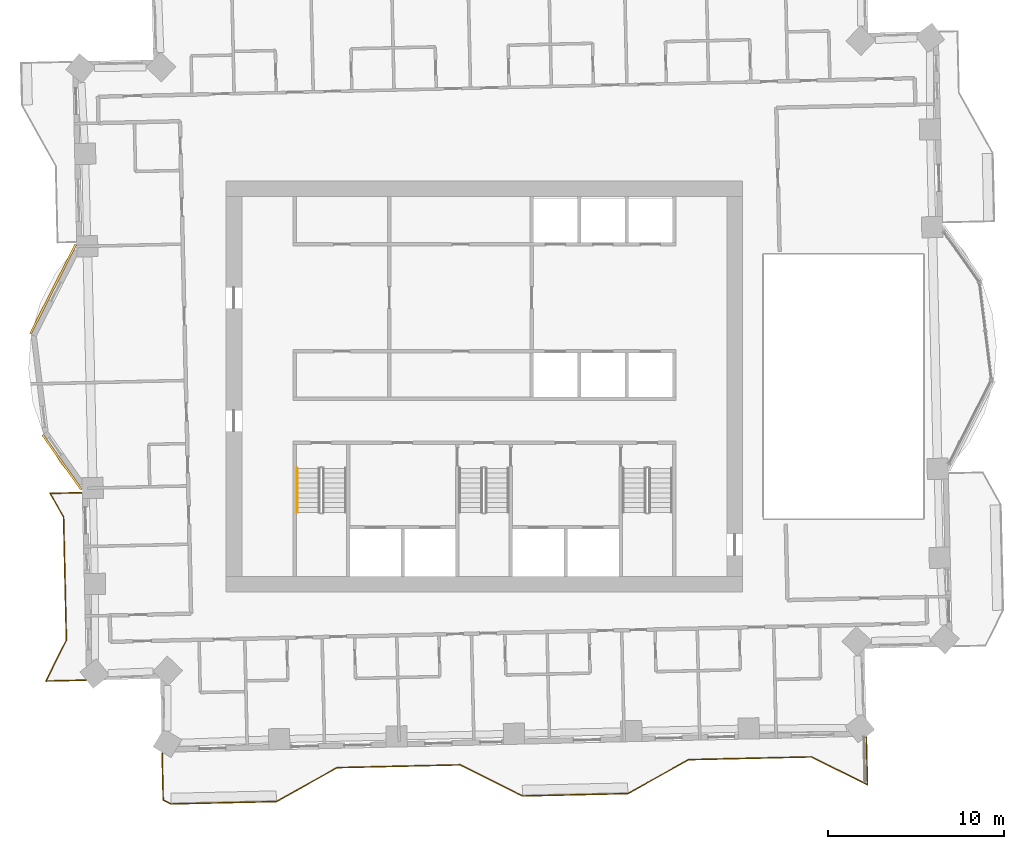
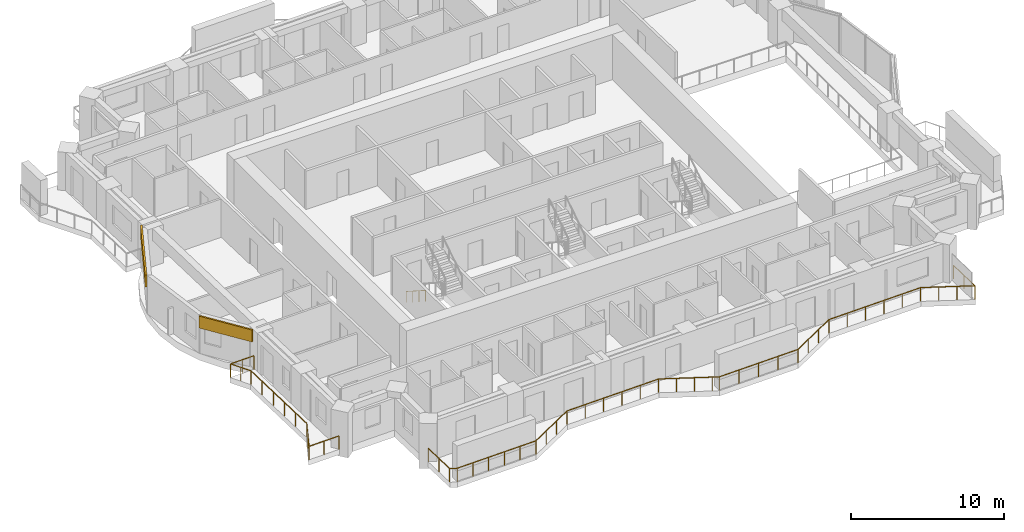
# One storey, part 13 of 16: 3 railings, 2 coverings.
"""IFC4 building model written with IfcOpenShell, lengths in metres."""

from ifc_helpers import new_model, si_unit, direction, frame, frame_2d, origin, origin_2d, place, context, subcontext, project, spatial, rectangle, circle, extrude, material, layer, layer_set, type_object, element, save


model = new_model("IFC4")

# Units and contexts
model_context = context("Model", 3, precision=1e-05, world=origin(), true_north=direction((0.0, 1.0)))
body_context = subcontext(model_context, "Body", "Model", "MODEL_VIEW")
ifc_project = project(units=[si_unit("LENGTHUNIT", "METRE"), si_unit("AREAUNIT", "SQUARE_METRE"), si_unit("VOLUMEUNIT", "CUBIC_METRE"), si_unit("PLANEANGLEUNIT", "RADIAN"), si_unit("MASSUNIT", "GRAM", prefix="KILO")], contexts=[model_context])

# Site, building, storey
site_placement = place(None, origin())
site = spatial("IfcSite", under=ifc_project, at=site_placement, CompositionType="ELEMENT")
building_placement = place(site_placement, origin())
building = spatial("IfcBuilding", under=site, at=building_placement, Name="Mangrove Gate Tower", CompositionType="ELEMENT")
storey_placement = place(building_placement, frame((0.0, 0.0, 175.300048828125)))
storey = spatial("IfcBuildingStorey", under=building, at=storey_placement, Name="L44", CompositionType="ELEMENT", Elevation=175.300048828125)

# Railings
ifc_material_1 = material(Name="Stainless steel grade 316 with laminated glass infill", Category="steel")
railing_type_1 = type_object("IfcRailingType", Name="Balcony guard 1100", PredefinedType="GUARDRAIL", material=ifc_material_1)
railing_1_placement = place(storey_placement, frame((-22.912109375, -6.033935546875, 0.0)))
element("IfcRailing", 1, at=railing_1_placement, inside=storey, type_object=railing_type_1, Name="GUARD L44 W2", PredefinedType="GUARDRAIL", context=body_context, shape_type="SweptSolid", body=[
    extrude(rectangle(XDim=0.048095703125, YDim=0.048095703125, at=origin_2d()), frame((0.0, 0.0, 1.076171875), z_axis=(-0.999748773553, -0.02241405316, 0.0), x_axis=(0.02241405316, -0.999748773553, 0.0)), (0.0, 0.0, 1.0), 1.786376953125),
    extrude(rectangle(XDim=0.048095703125, YDim=0.048095703125, at=origin_2d()), frame((-1.785888671875, -0.0400390625, 1.076171875), z_axis=(0.486962351773, -0.873422960516, 0.0), x_axis=(0.873422960516, 0.486962351773, 0.0)), (0.0, 0.0, 1.0), 1.5546875),
    extrude(rectangle(XDim=0.048095703125, YDim=0.048095703125, at=origin_2d()), frame((-1.02880859375, -1.39794921875, 1.076171875), z_axis=(0.022705559911, -0.999742195543, 0.0), x_axis=(0.999742195543, 0.022705559911, 0.0)), (0.0, 0.0, 1.0), 6.999755859375),
    extrude(rectangle(XDim=0.048095703125, YDim=0.048095703125, at=origin_2d()), frame((-0.869873046875, -8.39599609375, 1.076171875), z_axis=(-0.447063441947, -0.894502252023, 0.0), x_axis=(0.894502252023, -0.447063441947, 0.0)), (0.0, 0.0, 1.0), 2.6015625),
    extrude(rectangle(XDim=0.048095703125, YDim=0.048095703125, at=origin_2d()), frame((-2.032958984375, -10.72314453125, 1.076171875), z_axis=(0.999738891828, 0.022850561644, 0.0), x_axis=(-0.022850561644, 0.999738891828, 0.0)), (0.0, 0.0, 1.0), 2.275634765625),
    extrude(rectangle(XDim=0.0419921875, YDim=0.0419921875, at=origin_2d()), origin(), (0.0, 0.0, 1.0), 1.052001953125),
    extrude(rectangle(XDim=0.0419921875, YDim=0.0419921875, at=origin_2d()), frame((-0.89306640625, -0.02001953125, 0.0)), (0.0, 0.0, 1.0), 1.052001953125),
    extrude(rectangle(XDim=0.0419921875, YDim=0.0419921875, at=origin_2d()), frame((-1.785888671875, -0.0400390625, 0.0)), (0.0, 0.0, 1.0), 1.052001953125),
    extrude(rectangle(XDim=0.0419921875, YDim=0.0419921875, at=origin_2d()), frame((-1.4072265625, -0.718994140625, 0.0)), (0.0, 0.0, 1.0), 1.052001953125),
    extrude(rectangle(XDim=0.0419921875, YDim=0.0419921875, at=origin_2d()), frame((-1.02880859375, -1.39794921875, 0.0)), (0.0, 0.0, 1.0), 1.052001953125),
    extrude(rectangle(XDim=0.0419921875, YDim=0.0419921875, at=origin_2d()), frame((-0.9970703125, -2.797607421875, 0.0)), (0.0, 0.0, 1.0), 1.052001953125),
    extrude(rectangle(XDim=0.0419921875, YDim=0.0419921875, at=origin_2d()), frame((-0.96533203125, -4.197265625, 0.0)), (0.0, 0.0, 1.0), 1.052001953125),
    extrude(rectangle(XDim=0.0419921875, YDim=0.0419921875, at=origin_2d()), frame((-0.933349609375, -5.5966796875, 0.0)), (0.0, 0.0, 1.0), 1.052001953125),
    extrude(rectangle(XDim=0.0419921875, YDim=0.0419921875, at=origin_2d()), frame((-0.901611328125, -6.996337890625, 0.0)), (0.0, 0.0, 1.0), 1.052001953125),
    extrude(rectangle(XDim=0.0419921875, YDim=0.0419921875, at=origin_2d()), frame((-0.869873046875, -8.39599609375, 0.0)), (0.0, 0.0, 1.0), 1.052001953125),
    extrude(rectangle(XDim=0.0419921875, YDim=0.0419921875, at=origin_2d()), frame((-1.451416015625, -9.5595703125, 0.0)), (0.0, 0.0, 1.0), 1.052001953125),
    extrude(rectangle(XDim=0.0419921875, YDim=0.0419921875, at=origin_2d()), frame((-2.032958984375, -10.72314453125, 0.0)), (0.0, 0.0, 1.0), 1.052001953125),
    extrude(rectangle(XDim=0.0419921875, YDim=0.0419921875, at=origin_2d()), frame((-0.8955078125, -10.697265625, 0.0)), (0.0, 0.0, 1.0), 1.052001953125),
    extrude(rectangle(XDim=0.0419921875, YDim=0.0419921875, at=origin_2d()), frame((0.2421875, -10.671142578125, 0.0)), (0.0, 0.0, 1.0), 1.052001953125),
])
railing_2_placement = place(storey_placement, frame((-18.3349609375, -20.847900390625, 0.0)))
element("IfcRailing", 2, at=railing_2_placement, inside=storey, type_object=railing_type_1, Name="GUARD L44 S1", PredefinedType="GUARDRAIL", context=body_context, shape_type="SweptSolid", body=[
    extrude(rectangle(XDim=0.048095703125, YDim=0.048095703125, at=origin_2d()), frame((0.0, 0.0, 1.076171875), z_axis=(0.022793893877, -0.999740185449, 0.0), x_axis=(0.999740185449, 0.022793893877, 0.0)), (0.0, 0.0, 1.0), 2.677734375),
    extrude(rectangle(XDim=0.048095703125, YDim=0.048095703125, at=origin_2d()), frame((0.06103515625, -2.677001953125, 1.076171875), z_axis=(0.894623509466, -0.446820742928, 0.0), x_axis=(0.446820742928, 0.894623509466, 0.0)), (0.0, 0.0, 1.0), 0.497314453125),
    extrude(rectangle(XDim=0.048095703125, YDim=0.048095703125, at=origin_2d()), frame((0.505859375, -2.899169921875, 1.076171875), z_axis=(0.999743178102, 0.022662255828, 0.0), x_axis=(-0.022662255828, 0.999743178102, 0.0)), (0.0, 0.0, 1.0), 6.00048828125),
    extrude(rectangle(XDim=0.048095703125, YDim=0.048095703125, at=origin_2d()), frame((6.5048828125, -2.76318359375, 1.076171875), z_axis=(0.873230657876, 0.487307108654, 0.0), x_axis=(-0.487307108654, 0.873230657876, 0.0)), (0.0, 0.0, 1.0), 3.958984375),
    extrude(rectangle(XDim=0.048095703125, YDim=0.048095703125, at=origin_2d()), frame((9.9619140625, -0.833984375, 1.076171875), z_axis=(0.999742195543, 0.022705559911, 0.0), x_axis=(-0.022705559911, 0.999742195543, 0.0)), (0.0, 0.0, 1.0), 6.999755859375),
    extrude(rectangle(XDim=0.048095703125, YDim=0.048095703125, at=origin_2d()), frame((16.9599609375, -0.675048828125, 1.076171875), z_axis=(0.894413264318, -0.447241447779, 0.0), x_axis=(0.447241447779, 0.894413264318, 0.0)), (0.0, 0.0, 1.0), 3.506103515625),
    extrude(rectangle(XDim=0.048095703125, YDim=0.048095703125, at=origin_2d()), frame((20.095947265625, -2.2431640625, 1.076171875), z_axis=(0.894103592415, -0.447860208135, 0.0), x_axis=(0.447860208135, 0.894103592415, 0.0)), (0.0, 0.0, 1.0), 0.452880859375),
    extrude(rectangle(XDim=0.048095703125, YDim=0.048095703125, at=origin_2d()), frame((20.5009765625, -2.446044921875, 1.076171875), z_axis=(0.999739392852, 0.022828630714, 0.0), x_axis=(-0.022828630714, 0.999739392852, 0.0)), (0.0, 0.0, 1.0), 5.99951171875),
    extrude(rectangle(XDim=0.048095703125, YDim=0.048095703125, at=origin_2d()), frame((26.4990234375, -2.30908203125, 1.076171875), z_axis=(0.873420366986, 0.486967003537, 0.0), x_axis=(-0.486967003537, 0.873420366986, 0.0)), (0.0, 0.0, 1.0), 3.959228515625),
    extrude(rectangle(XDim=0.048095703125, YDim=0.048095703125, at=origin_2d()), frame((29.95703125, -0.381103515625, 1.076171875), z_axis=(0.999742195543, 0.022705559911, 0.0), x_axis=(-0.022705559911, 0.999742195543, 0.0)), (0.0, 0.0, 1.0), 6.999755859375),
    extrude(rectangle(XDim=0.048095703125, YDim=0.048095703125, at=origin_2d()), frame((36.955078125, -0.22216796875, 1.076171875), z_axis=(0.894495919074, -0.447076112938, 0.0), x_axis=(0.447076112938, 0.894495919074, 0.0)), (0.0, 0.0, 1.0), 3.5517578125),
    extrude(rectangle(XDim=0.048095703125, YDim=0.048095703125, at=origin_2d()), frame((40.132080078125, -1.81005859375, 1.076171875), z_axis=(-0.022800930802, 0.999740024984, 0.0), x_axis=(-0.999740024984, -0.022800930802, 0.0)), (0.0, 0.0, 1.0), 2.7197265625),
    extrude(rectangle(XDim=0.0419921875, YDim=0.0419921875, at=origin_2d()), origin(), (0.0, 0.0, 1.0), 1.052001953125),
    extrude(rectangle(XDim=0.0419921875, YDim=0.0419921875, at=origin_2d()), frame((0.030517578125, -1.33837890625, 0.0)), (0.0, 0.0, 1.0), 1.052001953125),
    extrude(rectangle(XDim=0.0419921875, YDim=0.0419921875, at=origin_2d()), frame((0.06103515625, -2.677001953125, 0.0)), (0.0, 0.0, 1.0), 1.052001953125),
    extrude(rectangle(XDim=0.0419921875, YDim=0.0419921875, at=origin_2d()), frame((0.505859375, -2.899169921875, 0.0)), (0.0, 0.0, 1.0), 1.052001953125),
    extrude(rectangle(XDim=0.0419921875, YDim=0.0419921875, at=origin_2d()), frame((1.70556640625, -2.8720703125, 0.0)), (0.0, 0.0, 1.0), 1.052001953125),
    extrude(rectangle(XDim=0.0419921875, YDim=0.0419921875, at=origin_2d()), frame((2.905517578125, -2.8447265625, 0.0)), (0.0, 0.0, 1.0), 1.052001953125),
    extrude(rectangle(XDim=0.0419921875, YDim=0.0419921875, at=origin_2d()), frame((4.105224609375, -2.817626953125, 0.0)), (0.0, 0.0, 1.0), 1.052001953125),
    extrude(rectangle(XDim=0.0419921875, YDim=0.0419921875, at=origin_2d()), frame((5.30517578125, -2.790283203125, 0.0)), (0.0, 0.0, 1.0), 1.052001953125),
    extrude(rectangle(XDim=0.0419921875, YDim=0.0419921875, at=origin_2d()), frame((6.5048828125, -2.76318359375, 0.0)), (0.0, 0.0, 1.0), 1.052001953125),
    extrude(rectangle(XDim=0.0419921875, YDim=0.0419921875, at=origin_2d()), frame((7.6572265625, -2.1201171875, 0.0)), (0.0, 0.0, 1.0), 1.052001953125),
    extrude(rectangle(XDim=0.0419921875, YDim=0.0419921875, at=origin_2d()), frame((8.8095703125, -1.47705078125, 0.0)), (0.0, 0.0, 1.0), 1.052001953125),
    extrude(rectangle(XDim=0.0419921875, YDim=0.0419921875, at=origin_2d()), frame((9.9619140625, -0.833984375, 0.0)), (0.0, 0.0, 1.0), 1.052001953125),
    extrude(rectangle(XDim=0.0419921875, YDim=0.0419921875, at=origin_2d()), frame((11.361572265625, -0.80224609375, 0.0)), (0.0, 0.0, 1.0), 1.052001953125),
    extrude(rectangle(XDim=0.0419921875, YDim=0.0419921875, at=origin_2d()), frame((12.76123046875, -0.7705078125, 0.0)), (0.0, 0.0, 1.0), 1.052001953125),
    extrude(rectangle(XDim=0.0419921875, YDim=0.0419921875, at=origin_2d()), frame((14.16064453125, -0.738525390625, 0.0)), (0.0, 0.0, 1.0), 1.052001953125),
    extrude(rectangle(XDim=0.0419921875, YDim=0.0419921875, at=origin_2d()), frame((15.560302734375, -0.706787109375, 0.0)), (0.0, 0.0, 1.0), 1.052001953125),
    extrude(rectangle(XDim=0.0419921875, YDim=0.0419921875, at=origin_2d()), frame((16.9599609375, -0.675048828125, 0.0)), (0.0, 0.0, 1.0), 1.052001953125),
    extrude(rectangle(XDim=0.0419921875, YDim=0.0419921875, at=origin_2d()), frame((18.00537109375, -1.19775390625, 0.0)), (0.0, 0.0, 1.0), 1.052001953125),
    extrude(rectangle(XDim=0.0419921875, YDim=0.0419921875, at=origin_2d()), frame((19.050537109375, -1.720458984375, 0.0)), (0.0, 0.0, 1.0), 1.052001953125),
    extrude(rectangle(XDim=0.0419921875, YDim=0.0419921875, at=origin_2d()), frame((20.095947265625, -2.2431640625, 0.0)), (0.0, 0.0, 1.0), 1.052001953125),
    extrude(rectangle(XDim=0.0419921875, YDim=0.0419921875, at=origin_2d()), frame((20.5009765625, -2.446044921875, 0.0)), (0.0, 0.0, 1.0), 1.052001953125),
    extrude(rectangle(XDim=0.0419921875, YDim=0.0419921875, at=origin_2d()), frame((22.00048828125, -2.411865234375, 0.0)), (0.0, 0.0, 1.0), 1.052001953125),
    extrude(rectangle(XDim=0.0419921875, YDim=0.0419921875, at=origin_2d()), frame((23.5, -2.37744140625, 0.0)), (0.0, 0.0, 1.0), 1.052001953125),
    extrude(rectangle(XDim=0.0419921875, YDim=0.0419921875, at=origin_2d()), frame((24.99951171875, -2.34326171875, 0.0)), (0.0, 0.0, 1.0), 1.052001953125),
    extrude(rectangle(XDim=0.0419921875, YDim=0.0419921875, at=origin_2d()), frame((26.4990234375, -2.30908203125, 0.0)), (0.0, 0.0, 1.0), 1.052001953125),
    extrude(rectangle(XDim=0.0419921875, YDim=0.0419921875, at=origin_2d()), frame((27.651611328125, -1.66650390625, 0.0)), (0.0, 0.0, 1.0), 1.052001953125),
    extrude(rectangle(XDim=0.0419921875, YDim=0.0419921875, at=origin_2d()), frame((28.804443359375, -1.023681640625, 0.0)), (0.0, 0.0, 1.0), 1.052001953125),
    extrude(rectangle(XDim=0.0419921875, YDim=0.0419921875, at=origin_2d()), frame((29.95703125, -0.381103515625, 0.0)), (0.0, 0.0, 1.0), 1.052001953125),
    extrude(rectangle(XDim=0.0419921875, YDim=0.0419921875, at=origin_2d()), frame((31.356689453125, -0.349365234375, 0.0)), (0.0, 0.0, 1.0), 1.052001953125),
    extrude(rectangle(XDim=0.0419921875, YDim=0.0419921875, at=origin_2d()), frame((32.75634765625, -0.317626953125, 0.0)), (0.0, 0.0, 1.0), 1.052001953125),
    extrude(rectangle(XDim=0.0419921875, YDim=0.0419921875, at=origin_2d()), frame((34.15576171875, -0.28564453125, 0.0)), (0.0, 0.0, 1.0), 1.052001953125),
    extrude(rectangle(XDim=0.0419921875, YDim=0.0419921875, at=origin_2d()), frame((35.555419921875, -0.25390625, 0.0)), (0.0, 0.0, 1.0), 1.052001953125),
    extrude(rectangle(XDim=0.0419921875, YDim=0.0419921875, at=origin_2d()), frame((36.955078125, -0.22216796875, 0.0)), (0.0, 0.0, 1.0), 1.052001953125),
    extrude(rectangle(XDim=0.0419921875, YDim=0.0419921875, at=origin_2d()), frame((38.01416015625, -0.75146484375, 0.0)), (0.0, 0.0, 1.0), 1.052001953125),
    extrude(rectangle(XDim=0.0419921875, YDim=0.0419921875, at=origin_2d()), frame((39.072998046875, -1.28076171875, 0.0)), (0.0, 0.0, 1.0), 1.052001953125),
    extrude(rectangle(XDim=0.0419921875, YDim=0.0419921875, at=origin_2d()), frame((40.132080078125, -1.81005859375, 0.0)), (0.0, 0.0, 1.0), 1.052001953125),
    extrude(rectangle(XDim=0.0419921875, YDim=0.0419921875, at=origin_2d()), frame((40.10107421875, -0.45068359375, 0.0)), (0.0, 0.0, 1.0), 1.052001953125),
    extrude(rectangle(XDim=0.0419921875, YDim=0.0419921875, at=origin_2d()), frame((40.070068359375, 0.908935546875, 0.0)), (0.0, 0.0, 1.0), 1.052001953125),
])
ifc_material_2 = material(Name="Stainless steel 316", Category="steel")
railing_type_2 = type_object("IfcRailingType", Name="Core stair handrail 900", PredefinedType="HANDRAIL", material=ifc_material_2)
railing_3_placement = place(storey_placement, frame((-10.64990234375, -4.64990234375, 0.179931640625)))
element("IfcRailing", 3, at=railing_3_placement, inside=storey, type_object=railing_type_2, Name="L44 ST1 stair handrail 1", PredefinedType="HANDRAIL", context=body_context, shape_type="SweptSolid", body=[
    extrude(circle(Radius=0.02392578125, at=origin_2d()), frame((0.0, 0.0, 0.8759765625), z_axis=(0.0, -0.841162588446, 0.540782303519), x_axis=(1.0, 0.0, 0.0)), (0.0, 0.0, 1.0), 2.995849609375),
    extrude(circle(Radius=0.02099609375, at=origin_2d()), origin(), (0.0, 0.0, 1.0), 0.851806640625),
    extrude(circle(Radius=0.02099609375, at=origin_2d()), frame((0.0, -0.840087890625, 0.5400390625)), (0.0, 0.0, 1.0), 0.851806640625),
    extrude(circle(Radius=0.02099609375, at=origin_2d()), frame((0.0, -1.679931640625, 1.080078125)), (0.0, 0.0, 1.0), 0.851806640625),
    extrude(circle(Radius=0.02099609375, at=origin_2d()), frame((0.0, -2.52001953125, 1.6201171875)), (0.0, 0.0, 1.0), 0.851806640625),
])

# Coverings
ifc_material_3 = material(Name="Limestone", Category="masonry")
ifc_layer_1 = layer(ifc_material_3, 0.0400390625, Name="Limestone cladding")
ifc_material_4 = material(Name="Stainless steel anchors and cavity", Category="steel")
ifc_layer_2 = layer(ifc_material_4, 0.080078125, Name="Fixing cavity")
ifc_layer_set = layer_set([ifc_layer_1, ifc_layer_2], Name="Joint fascia cladding 120")
covering_type = type_object("IfcCoveringType", Name="Joint fascia cladding 120", PredefinedType="CLADDING", material=ifc_layer_set)
covering_1_placement = place(storey_placement, frame((-23.2421875, 8.08837890625, 2.099853515625), z_axis=(0.0, 0.0, 1.0), x_axis=(-0.452546311406, -0.891740901851, 0.0)))
element("IfcCovering", 4, at=covering_1_placement, inside=storey, type_object=covering_type, Name="STONE FASCIA L44 W9.L1", PredefinedType="CLADDING", context=body_context, shape_type="SweptSolid", body=[
    extrude(rectangle(XDim=5.705078125, YDim=0.1201171875, at=frame_2d((2.8525390625, 0.0))), origin(), (0.0, 0.0, 1.0), 0.9501953125),
])
covering_2_placement = place(storey_placement, frame((-25.1279296875, -2.7470703125, 2.099853515625), z_axis=(0.0, 0.0, 1.0), x_axis=(0.578168098379, -0.815917673553, 0.0)))
element("IfcCovering", 5, at=covering_2_placement, inside=storey, type_object=covering_type, Name="STONE FASCIA L44 W9.L2", PredefinedType="CLADDING", context=body_context, shape_type="SweptSolid", body=[
    extrude(rectangle(XDim=3.819091796875, YDim=0.1201171875, at=frame_2d((1.90966796875, 0.0))), origin(), (0.0, 0.0, 1.0), 0.9501953125),
])

save(model, "model.ifc")
